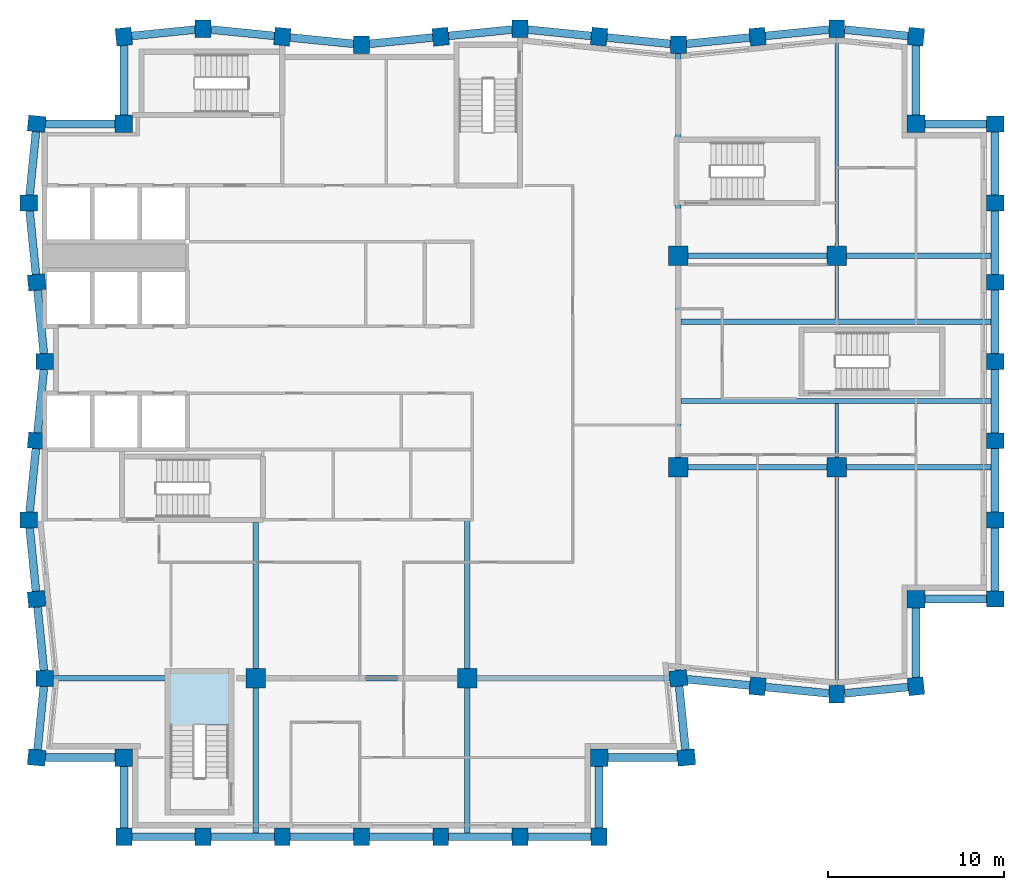
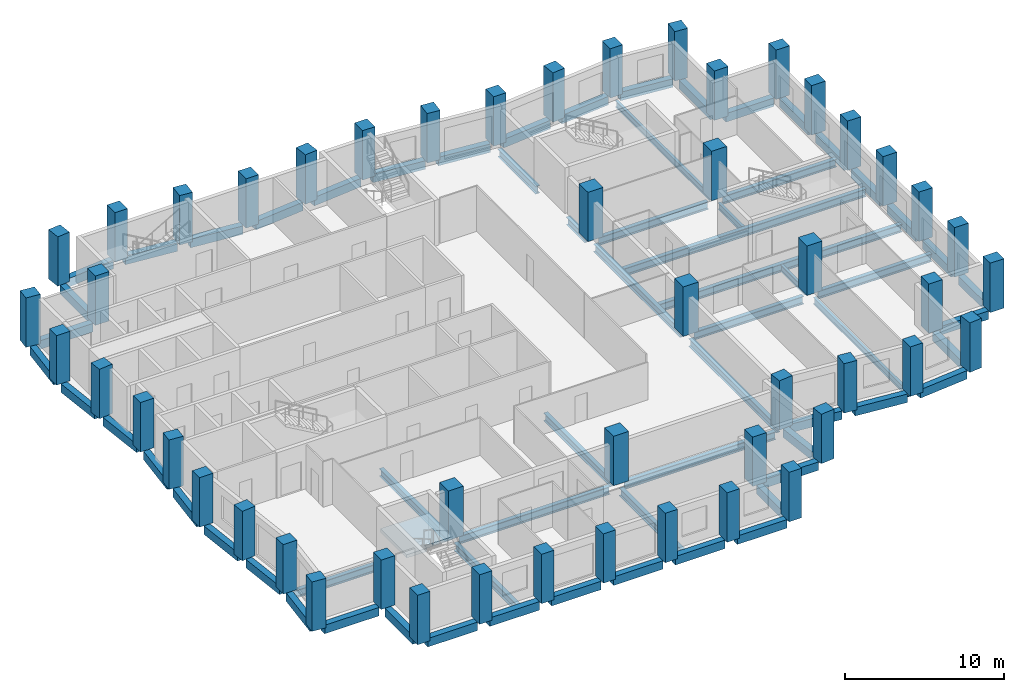
# One storey, part 1 of 8: 65 beams, 50 columns, 1 slab, 1 element without a shape of its own.
"""IFC4 building model written with IfcOpenShell, lengths in metres."""

from ifc_helpers import new_model, si_unit, direction, frame, origin, origin_2d, place, context, subcontext, project, spatial, polyline, rectangle, i_section, outline, extrude, material, layer, layer_set, material_profile, profile_set, type_object, element, aggregate, save


model = new_model("IFC4")

# Units and contexts
model_context = context("Model", 3, precision=1e-05, world=origin(), true_north=direction((0.0, 1.0)))
body_context = subcontext(model_context, "Body", "Model", "MODEL_VIEW")
ifc_project = project(units=[si_unit("LENGTHUNIT", "METRE"), si_unit("AREAUNIT", "SQUARE_METRE"), si_unit("VOLUMEUNIT", "CUBIC_METRE"), si_unit("PLANEANGLEUNIT", "RADIAN"), si_unit("MASSUNIT", "GRAM", prefix="KILO")], contexts=[model_context])

# Site, building, storey
site_placement = place(None, origin())
site = spatial("IfcSite", under=ifc_project, at=site_placement, CompositionType="ELEMENT")
building_placement = place(site_placement, origin())
building = spatial("IfcBuilding", under=site, at=building_placement, Name="Brondeck Convention Tower", CompositionType="ELEMENT")
storey_placement = place(building_placement, frame((0.0, 0.0, 214.0)))
storey = spatial("IfcBuildingStorey", under=building, at=storey_placement, Name="L52", CompositionType="ELEMENT", Elevation=214.0)

# Columns
ifc_material_1 = material(Name="Concrete C50/60", Category="concrete")
ifc_material_profile_1 = material_profile(ifc_material_1, rectangle(XDim=1.0, YDim=1.0, at=origin_2d()), Name="Corner column 1000x1000 Concrete C50/60")
ifc_profile_set_1 = profile_set([ifc_material_profile_1], Name="Concrete C50/60")
column_type_1 = type_object("IfcColumnType", Name="Corner column 1000x1000 Concrete C50/60", PredefinedType="COLUMN", material=ifc_profile_set_1)
for number, where, z_axis, x_axis, name in (
    (1, (4.5, 22.5, 0.0), (0.0, 0.0, 1.0), (1.0, 0.0, 0.0), "STR-COL-L52-NC-SWB18"),
    (2, (31.5, 22.5, 0.0), (0.0, 0.0, 1.0), (1.0, 0.0, 0.0), "STR-COL-L52-NC-SEB18"),
    (3, (49.5, 31.5, 0.0), (0.0, 0.0, 1.0), (1.0, 0.0, 0.0), "STR-COL-L52-NC-SEA54"),
    (4, (49.5, 58.5, 0.0), (0.0, 0.0, 1.0), (1.0, 0.0, 0.0), "STR-COL-L52-NC-NEA54"),
    (5, (4.5, 58.5, 0.0), (0.0, 0.0, 1.0), (1.0, 0.0, 0.0), "STR-COL-L52-NC-NW"),
):
    element("IfcColumn", number, at=place(storey_placement, frame(where, z_axis=z_axis, x_axis=x_axis)), inside=storey, type_object=column_type_1, Name=name, PredefinedType="COLUMN", context=body_context, shape_type="SweptSolid", body=[
        extrude(rectangle(XDim=1.0, YDim=1.0, at=origin_2d()), origin(), (0.0, 0.0, 1.0), 3.800048828125),
    ])
ifc_material_profile_2 = material_profile(ifc_material_1, rectangle(XDim=1.10009765625, YDim=1.10009765625, at=origin_2d()), Name="Interior column 1100x1100 Concrete C50/60")
ifc_profile_set_2 = profile_set([ifc_material_profile_2], Name="Concrete C50/60")
column_type_2 = type_object("IfcColumnType", Name="Interior column 1100x1100 Concrete C50/60", PredefinedType="COLUMN", material=ifc_profile_set_2)
for number, where, z_axis, x_axis, name in (
    (6, (12.0, 27.0, 0.0), (0.0, 0.0, 1.0), (1.0, 0.0, 0.0), "STR-COL-L52-IC-03"),
    (7, (24.0, 27.0, 0.0), (0.0, 0.0, 1.0), (1.0, 0.0, 0.0), "STR-COL-L52-IC-06"),
    (8, (36.0, 39.0, 0.0), (0.0, 0.0, 1.0), (1.0, 0.0, 0.0), "STR-COL-L52-IC-07"),
    (9, (36.0, 51.0, 0.0), (0.0, 0.0, 1.0), (1.0, 0.0, 0.0), "STR-COL-L52-IC-08"),
    (10, (45.0, 39.0, 0.0), (0.0, 0.0, 1.0), (1.0, 0.0, 0.0), "STR-COL-L52-IC-09"),
    (11, (45.0, 51.0, 0.0), (0.0, 0.0, 1.0), (1.0, 0.0, 0.0), "STR-COL-L52-IC-10"),
):
    element("IfcColumn", number, at=place(storey_placement, frame(where, z_axis=z_axis, x_axis=x_axis)), inside=storey, type_object=column_type_2, Name=name, PredefinedType="COLUMN", context=body_context, shape_type="SweptSolid", body=[
        extrude(rectangle(XDim=1.10009765625, YDim=1.10009765625, at=origin_2d()), origin(), (0.0, 0.0, 1.0), 3.800048828125),
    ])
ifc_material_profile_3 = material_profile(ifc_material_1, rectangle(XDim=0.89990234375, YDim=1.0, at=origin_2d()), Name="Perimeter pier 900x1000 Concrete C50/60")
ifc_profile_set_3 = profile_set([ifc_material_profile_3], Name="Concrete C50/60")
column_type_3 = type_object("IfcColumnType", Name="Perimeter pier 900x1000 Concrete C50/60", PredefinedType="COLUMN", material=ifc_profile_set_3)
for number, where, z_axis, x_axis, name in (
    (12, (4.5, 18.0, 0.0), (0.0, 0.0, 1.0), (1.0, 0.0, 0.0), "STR-COL-L52-PC-B-S18-01"),
    (13, (9.0, 18.0, 0.0), (0.0, 0.0, 1.0), (1.0, 0.0, 0.0), "STR-COL-L52-PC-B-S18-02"),
    (14, (13.5, 18.0, 0.0), (0.0, 0.0, 1.0), (1.0, 0.0, 0.0), "STR-COL-L52-PC-B-S18-03"),
    (15, (18.0, 18.0, 0.0), (0.0, 0.0, 1.0), (1.0, 0.0, 0.0), "STR-COL-L52-PC-B-S18-04"),
    (16, (22.5, 18.0, 0.0), (0.0, 0.0, 1.0), (1.0, 0.0, 0.0), "STR-COL-L52-PC-B-S18-05"),
    (17, (27.0, 18.0, 0.0), (0.0, 0.0, 1.0), (1.0, 0.0, 0.0), "STR-COL-L52-PC-B-S18-06"),
    (18, (31.5, 18.0, 0.0), (0.0, 0.0, 1.0), (1.0, 0.0, 0.0), "STR-COL-L52-PC-B-S18-07"),
    (19, (36.449951171875, 22.5, 0.0), (0.0, 0.0, 1.0), (-0.0995038382, 0.995037178292, 0.0), "STR-COL-L52-PC-B-E-01"),
    (20, (36.0, 27.0, 0.0), (0.0, 0.0, 1.0), (-0.0995038382, 0.995037178292, 0.0), "STR-COL-L52-PC-B-E-00"),
    (21, (40.5, 26.550048828125, 0.0), (0.0, 0.0, 1.0), (0.995037178292, -0.0995038382, 0.0), "STR-COL-L52-PC-A-S-01"),
    (22, (45.0, 26.10009765625, 0.0), (0.0, 0.0, 1.0), (1.0, 0.0, 0.0), "STR-COL-L52-PC-A-S-02"),
    (23, (49.5, 26.550048828125, 0.0), (0.0, 0.0, 1.0), (0.995037178292, 0.0995038382, 0.0), "STR-COL-L52-PC-A-S-03"),
    (24, (54.0, 31.5, 0.0), (0.0, 0.0, 1.0), (0.0, 1.0, 0.0), "STR-COL-L52-PC-A-E54-01"),
    (25, (54.0, 36.0, 0.0), (0.0, 0.0, 1.0), (0.0, 1.0, 0.0), "STR-COL-L52-PC-A-E54-02"),
    (26, (54.0, 40.5, 0.0), (0.0, 0.0, 1.0), (0.0, 1.0, 0.0), "STR-COL-L52-PC-A-E54-03"),
    (27, (54.0, 45.0, 0.0), (0.0, 0.0, 1.0), (0.0, 1.0, 0.0), "STR-COL-L52-PC-A-E54-04"),
    (28, (54.0, 49.5, 0.0), (0.0, 0.0, 1.0), (0.0, 1.0, 0.0), "STR-COL-L52-PC-A-E54-05"),
    (29, (54.0, 54.0, 0.0), (0.0, 0.0, 1.0), (0.0, 1.0, 0.0), "STR-COL-L52-PC-A-E54-06"),
    (30, (54.0, 58.5, 0.0), (0.0, 0.0, 1.0), (0.0, 1.0, 0.0), "STR-COL-L52-PC-A-E54-07"),
    (31, (49.5, 63.449951171875, 0.0), (0.0, 0.0, 1.0), (-0.995037178292, 0.0995038382, 0.0), "STR-COL-L52-PC-A-N-11"),
    (32, (45.0, 63.89990234375, 0.0), (0.0, 0.0, 1.0), (-1.0, 0.0, 0.0), "STR-COL-L52-PC-A-N-10"),
    (33, (40.5, 63.449951171875, 0.0), (0.0, 0.0, 1.0), (-0.995037178292, -0.0995038382, 0.0), "STR-COL-L52-PC-A-N-09"),
    (34, (36.0, 63.0, 0.0), (0.0, 0.0, 1.0), (-1.0, 0.0, 0.0), "STR-COL-L52-PC-A-N-08"),
    (35, (31.5, 63.449951171875, 0.0), (0.0, 0.0, 1.0), (-0.995037178292, 0.0995038382, 0.0), "STR-COL-L52-PC-A-N-07"),
    (36, (27.0, 63.89990234375, 0.0), (0.0, 0.0, 1.0), (-1.0, 0.0, 0.0), "STR-COL-L52-PC-A-N-06"),
    (37, (22.5, 63.449951171875, 0.0), (0.0, 0.0, 1.0), (-0.995037178292, -0.0995038382, 0.0), "STR-COL-L52-PC-A-N-05"),
    (38, (18.0, 63.0, 0.0), (0.0, 0.0, 1.0), (-1.0, 0.0, 0.0), "STR-COL-L52-PC-A-N-04"),
    (39, (13.5, 63.449951171875, 0.0), (0.0, 0.0, 1.0), (-0.995037178292, 0.0995038382, 0.0), "STR-COL-L52-PC-A-N-03"),
    (40, (9.0, 63.89990234375, 0.0), (0.0, 0.0, 1.0), (-1.0, 0.0, 0.0), "STR-COL-L52-PC-A-N-02"),
    (41, (4.5, 63.449951171875, 0.0), (0.0, 0.0, 1.0), (-0.995037178292, -0.0995038382, 0.0), "STR-COL-L52-PC-A-N-01"),
    (42, (-0.449951171875, 58.5, 0.0), (0.0, 0.0, 1.0), (-0.0995038382, -0.995037178292, 0.0), "STR-COL-L52-PC-B-W-01"),
    (43, (-0.89990234375, 54.0, 0.0), (0.0, 0.0, 1.0), (0.0, -1.0, 0.0), "STR-COL-L52-PC-B-W-02"),
    (44, (-0.449951171875, 49.5, 0.0), (0.0, 0.0, 1.0), (0.0995038382, -0.995037178292, 0.0), "STR-COL-L52-PC-B-W-03"),
    (45, (0.0, 45.0, 0.0), (0.0, 0.0, 1.0), (0.0, -1.0, 0.0), "STR-COL-L52-PC-B-W-04"),
    (46, (-0.449951171875, 40.5, 0.0), (0.0, 0.0, 1.0), (-0.0995038382, -0.995037178292, 0.0), "STR-COL-L52-PC-B-W-05"),
    (47, (-0.89990234375, 36.0, 0.0), (0.0, 0.0, 1.0), (0.0, -1.0, 0.0), "STR-COL-L52-PC-B-W-06"),
    (48, (-0.449951171875, 31.5, 0.0), (0.0, 0.0, 1.0), (0.0995038382, -0.995037178292, 0.0), "STR-COL-L52-PC-B-W-07"),
    (49, (0.0, 27.0, 0.0), (0.0, 0.0, 1.0), (0.0, -1.0, 0.0), "STR-COL-L52-PC-B-W-08"),
    (50, (-0.449951171875, 22.5, 0.0), (0.0, 0.0, 1.0), (-0.0995038382, -0.995037178292, 0.0), "STR-COL-L52-PC-B-W-09"),
):
    element("IfcColumn", number, at=place(storey_placement, frame(where, z_axis=z_axis, x_axis=x_axis)), inside=storey, type_object=column_type_3, Name=name, PredefinedType="COLUMN", context=body_context, shape_type="SweptSolid", body=[
        extrude(rectangle(XDim=0.89990234375, YDim=1.0, at=origin_2d()), origin(), (0.0, 0.0, 1.0), 3.800048828125),
    ])

# Beams
ifc_material_2 = material(Name="Steel S355", Category="steel")
ifc_material_profile_4 = material_profile(ifc_material_2, i_section(OverallWidth=0.199951171875, OverallDepth=0.5, WebThickness=0.01025390625, FlangeThickness=0.01611328125, FilletRadius=0.02099609375, at=origin_2d()), Name="IPE 500")
ifc_profile_set_4 = profile_set([ifc_material_profile_4], Name="Steel S355")
beam_type_1 = type_object("IfcBeamType", Name="Floor beam IPE 500", PredefinedType="BEAM", material=ifc_profile_set_4)
for number, where, z_axis, x_axis, name in (
    (51, (45.0, 26.60009765625, -0.550048828125), (0.0, 1.0, 0.0), (-1.0, 0.0, 0.0), "STR-FB-L52-001"),
    (52, (45.0, 51.550048828125, -0.550048828125), (0.0, 1.0, 0.0), (-1.0, 0.0, 0.0), "STR-FB-L52-002"),
):
    element("IfcBeam", number, at=place(storey_placement, frame(where, z_axis=z_axis, x_axis=x_axis)), inside=storey, type_object=beam_type_1, Name=name, PredefinedType="BEAM", context=body_context, shape_type="SweptSolid", body=[
        extrude(i_section(OverallWidth=0.199951171875, OverallDepth=0.5, WebThickness=0.01025390625, FlangeThickness=0.01611328125, FilletRadius=0.02099609375, at=origin_2d()), origin(), (0.0, 0.0, 1.0), 11.849853515625),
    ])
for number, where, z_axis, x_axis, name in (
    (53, (45.0, 39.550048828125, -0.550048828125), (0.0, 1.0, 0.0), (-1.0, 0.0, 0.0), "STR-FB-L52-003"),
    (54, (45.0, 47.39990234375, -0.550048828125), (0.0, 1.0, 0.0), (-1.0, 0.0, 0.0), "STR-FB-L52-004"),
):
    element("IfcBeam", number, at=place(storey_placement, frame(where, z_axis=z_axis, x_axis=x_axis)), inside=storey, type_object=beam_type_1, Name=name, PredefinedType="BEAM", context=body_context, shape_type="SweptSolid", body=[
        extrude(i_section(OverallWidth=0.199951171875, OverallDepth=0.5, WebThickness=0.01025390625, FlangeThickness=0.01611328125, FilletRadius=0.02099609375, at=origin_2d()), origin(), (0.0, 0.0, 1.0), 3.050048828125),
    ])
ifc_material_profile_5 = material_profile(ifc_material_2, i_section(OverallWidth=0.300048828125, OverallDepth=0.60009765625, WebThickness=0.015380859375, FlangeThickness=0.030029296875, FilletRadius=0.027099609375, at=origin_2d()), Name="HEB 600")
ifc_profile_set_5 = profile_set([ifc_material_profile_5], Name="Steel S355")
beam_type_2 = type_object("IfcBeamType", Name="Girder HEB 600", PredefinedType="BEAM", material=ifc_profile_set_5)
beam_1_placement = place(storey_placement, frame((36.550048828125, 39.0, -0.60009765625), z_axis=(1.0, 0.0, 0.0), x_axis=(0.0, 1.0, 0.0)))
element("IfcBeam", 55, at=beam_1_placement, inside=storey, type_object=beam_type_2, Name="STR-GR-L52-001", PredefinedType="BEAM", context=body_context, shape_type="SweptSolid", body=[
    extrude(i_section(OverallWidth=0.300048828125, OverallDepth=0.60009765625, WebThickness=0.015380859375, FlangeThickness=0.030029296875, FilletRadius=0.027099609375, at=origin_2d()), origin(), (0.0, 0.0, 1.0), 7.89990234375),
])
beam_2_placement = place(storey_placement, frame((45.550048828125, 39.0, -0.60009765625), z_axis=(1.0, 0.0, 0.0), x_axis=(0.0, 1.0, 0.0)))
element("IfcBeam", 56, at=beam_2_placement, inside=storey, type_object=beam_type_2, Name="STR-GR-L52-002", PredefinedType="BEAM", context=body_context, shape_type="SweptSolid", body=[
    extrude(i_section(OverallWidth=0.300048828125, OverallDepth=0.60009765625, WebThickness=0.015380859375, FlangeThickness=0.030029296875, FilletRadius=0.027099609375, at=origin_2d()), origin(), (0.0, 0.0, 1.0), 8.224853515625),
])
beam_3_placement = place(storey_placement, frame((36.550048828125, 51.0, -0.60009765625), z_axis=(1.0, 0.0, 0.0), x_axis=(0.0, 1.0, 0.0)))
element("IfcBeam", 57, at=beam_3_placement, inside=storey, type_object=beam_type_2, Name="STR-GR-L52-003", PredefinedType="BEAM", context=body_context, shape_type="SweptSolid", body=[
    extrude(i_section(OverallWidth=0.300048828125, OverallDepth=0.60009765625, WebThickness=0.015380859375, FlangeThickness=0.030029296875, FilletRadius=0.027099609375, at=origin_2d()), origin(), (0.0, 0.0, 1.0), 7.89990234375),
])
beam_4_placement = place(storey_placement, frame((45.550048828125, 51.0, -0.60009765625), z_axis=(1.0, 0.0, 0.0), x_axis=(0.0, 1.0, 0.0)))
element("IfcBeam", 58, at=beam_4_placement, inside=storey, type_object=beam_type_2, Name="STR-GR-L52-004", PredefinedType="BEAM", context=body_context, shape_type="SweptSolid", body=[
    extrude(i_section(OverallWidth=0.300048828125, OverallDepth=0.60009765625, WebThickness=0.015380859375, FlangeThickness=0.030029296875, FilletRadius=0.027099609375, at=origin_2d()), origin(), (0.0, 0.0, 1.0), 8.224853515625),
])
beam_5_placement = place(storey_placement, frame((36.0, 27.4521484375, -0.60009765625), z_axis=(0.0, 1.0, 0.0), x_axis=(-1.0, 0.0, 0.0)))
element("IfcBeam", 59, at=beam_5_placement, inside=storey, type_object=beam_type_2, Name="STR-GR-L52-005", PredefinedType="BEAM", context=body_context, shape_type="SweptSolid", body=[
    extrude(i_section(OverallWidth=0.300048828125, OverallDepth=0.60009765625, WebThickness=0.015380859375, FlangeThickness=0.030029296875, FilletRadius=0.027099609375, at=origin_2d()), origin(), (0.0, 0.0, 1.0), 10.997802734375),
])
beam_6_placement = place(storey_placement, frame((36.0, 39.550048828125, -0.60009765625), z_axis=(0.0, 1.0, 0.0), x_axis=(-1.0, 0.0, 0.0)))
element("IfcBeam", 60, at=beam_6_placement, inside=storey, type_object=beam_type_2, Name="STR-GR-L52-006", PredefinedType="BEAM", context=body_context, shape_type="SweptSolid", body=[
    extrude(i_section(OverallWidth=0.300048828125, OverallDepth=0.60009765625, WebThickness=0.015380859375, FlangeThickness=0.030029296875, FilletRadius=0.027099609375, at=origin_2d()), origin(), (0.0, 0.0, 1.0), 10.89990234375),
])
beam_7_placement = place(storey_placement, frame((36.0, 51.550048828125, -0.60009765625), z_axis=(0.0, 1.0, 0.0), x_axis=(-1.0, 0.0, 0.0)))
element("IfcBeam", 61, at=beam_7_placement, inside=storey, type_object=beam_type_2, Name="STR-GR-L52-007", PredefinedType="BEAM", context=body_context, shape_type="SweptSolid", body=[
    extrude(i_section(OverallWidth=0.300048828125, OverallDepth=0.60009765625, WebThickness=0.015380859375, FlangeThickness=0.030029296875, FilletRadius=0.027099609375, at=origin_2d()), origin(), (0.0, 0.0, 1.0), 2.329833984375),
])
beam_8_placement = place(storey_placement, frame((36.0, 57.719970703125, -0.60009765625), z_axis=(0.0, 1.0, 0.0), x_axis=(-1.0, 0.0, 0.0)))
element("IfcBeam", 62, at=beam_8_placement, inside=storey, type_object=beam_type_2, Name="STR-GR-L52-008", PredefinedType="BEAM", context=body_context, shape_type="SweptSolid", body=[
    extrude(i_section(OverallWidth=0.300048828125, OverallDepth=0.60009765625, WebThickness=0.015380859375, FlangeThickness=0.030029296875, FilletRadius=0.027099609375, at=origin_2d()), origin(), (0.0, 0.0, 1.0), 4.780029296875),
])
beam_9_placement = place(storey_placement, frame((12.0, 35.85009765625, -0.60009765625), z_axis=(0.0, -1.0, 0.0), x_axis=(1.0, 0.0, 0.0)))
element("IfcBeam", 63, at=beam_9_placement, inside=storey, type_object=beam_type_2, Name="STR-GR-L52-009", PredefinedType="BEAM", context=body_context, shape_type="SweptSolid", body=[
    extrude(i_section(OverallWidth=0.300048828125, OverallDepth=0.60009765625, WebThickness=0.015380859375, FlangeThickness=0.030029296875, FilletRadius=0.027099609375, at=origin_2d()), origin(), (0.0, 0.0, 1.0), 8.300048828125),
])
beam_10_placement = place(storey_placement, frame((12.0, 26.449951171875, -0.60009765625), z_axis=(0.0, -1.0, 0.0), x_axis=(1.0, 0.0, 0.0)))
element("IfcBeam", 64, at=beam_10_placement, inside=storey, type_object=beam_type_2, Name="STR-GR-L52-010", PredefinedType="BEAM", context=body_context, shape_type="SweptSolid", body=[
    extrude(i_section(OverallWidth=0.300048828125, OverallDepth=0.60009765625, WebThickness=0.015380859375, FlangeThickness=0.030029296875, FilletRadius=0.027099609375, at=origin_2d()), origin(), (0.0, 0.0, 1.0), 8.224853515625),
])
beam_11_placement = place(storey_placement, frame((24.0, 35.955078125, -0.60009765625), z_axis=(0.0, -1.0, 0.0), x_axis=(1.0, 0.0, 0.0)))
element("IfcBeam", 65, at=beam_11_placement, inside=storey, type_object=beam_type_2, Name="STR-GR-L52-011", PredefinedType="BEAM", context=body_context, shape_type="SweptSolid", body=[
    extrude(i_section(OverallWidth=0.300048828125, OverallDepth=0.60009765625, WebThickness=0.015380859375, FlangeThickness=0.030029296875, FilletRadius=0.027099609375, at=origin_2d()), origin(), (0.0, 0.0, 1.0), 8.405029296875),
])
beam_12_placement = place(storey_placement, frame((24.0, 26.449951171875, -0.60009765625), z_axis=(0.0, -1.0, 0.0), x_axis=(1.0, 0.0, 0.0)))
element("IfcBeam", 66, at=beam_12_placement, inside=storey, type_object=beam_type_2, Name="STR-GR-L52-012", PredefinedType="BEAM", context=body_context, shape_type="SweptSolid", body=[
    extrude(i_section(OverallWidth=0.300048828125, OverallDepth=0.60009765625, WebThickness=0.015380859375, FlangeThickness=0.030029296875, FilletRadius=0.027099609375, at=origin_2d()), origin(), (0.0, 0.0, 1.0), 8.224853515625),
])
beam_13_placement = place(storey_placement, frame((0.5, 27.0, -0.60009765625), z_axis=(1.0, 0.0, 0.0), x_axis=(0.0, 1.0, 0.0)))
element("IfcBeam", 67, at=beam_13_placement, inside=storey, type_object=beam_type_2, Name="STR-GR-L52-013", PredefinedType="BEAM", context=body_context, shape_type="SweptSolid", body=[
    extrude(i_section(OverallWidth=0.300048828125, OverallDepth=0.60009765625, WebThickness=0.015380859375, FlangeThickness=0.030029296875, FilletRadius=0.027099609375, at=origin_2d()), origin(), (0.0, 0.0, 1.0), 6.3798828125),
])
beam_14_placement = place(storey_placement, frame((12.550048828125, 27.0, -0.60009765625), z_axis=(1.0, 0.0, 0.0), x_axis=(0.0, 1.0, 0.0)))
element("IfcBeam", 68, at=beam_14_placement, inside=storey, type_object=beam_type_2, Name="STR-GR-L52-014", PredefinedType="BEAM", context=body_context, shape_type="SweptSolid", body=[
    extrude(i_section(OverallWidth=0.300048828125, OverallDepth=0.60009765625, WebThickness=0.015380859375, FlangeThickness=0.030029296875, FilletRadius=0.027099609375, at=origin_2d()), origin(), (0.0, 0.0, 1.0), 10.89990234375),
])
beam_15_placement = place(storey_placement, frame((24.550048828125, 27.0, -0.60009765625), z_axis=(1.0, 0.0, 0.0), x_axis=(0.0, 1.0, 0.0)))
element("IfcBeam", 69, at=beam_15_placement, inside=storey, type_object=beam_type_2, Name="STR-GR-L52-015", PredefinedType="BEAM", context=body_context, shape_type="SweptSolid", body=[
    extrude(i_section(OverallWidth=0.300048828125, OverallDepth=0.60009765625, WebThickness=0.015380859375, FlangeThickness=0.030029296875, FilletRadius=0.027099609375, at=origin_2d()), origin(), (0.0, 0.0, 1.0), 10.947509765625),
])
for number, where, z_axis, x_axis, name in (
    (70, (36.14990234375, 42.75, -0.60009765625), (1.0, 0.0, 0.0), (0.0, 1.0, 0.0), "STR-GR-L52-016"),
    (71, (36.14990234375, 47.25, -0.60009765625), (1.0, 0.0, 0.0), (0.0, 1.0, 0.0), "STR-GR-L52-017"),
):
    element("IfcBeam", number, at=place(storey_placement, frame(where, z_axis=z_axis, x_axis=x_axis)), inside=storey, type_object=beam_type_2, Name=name, PredefinedType="BEAM", context=body_context, shape_type="SweptSolid", body=[
        extrude(i_section(OverallWidth=0.300048828125, OverallDepth=0.60009765625, WebThickness=0.015380859375, FlangeThickness=0.030029296875, FilletRadius=0.027099609375, at=origin_2d()), origin(), (0.0, 0.0, 1.0), 17.625),
    ])
ifc_material_profile_6 = material_profile(ifc_material_1, rectangle(XDim=0.449951171875, YDim=0.64990234375, at=origin_2d()), Name="Precast spandrel 450x650 Concrete C50/60")
ifc_profile_set_6 = profile_set([ifc_material_profile_6], Name="Concrete C50/60")
beam_type_3 = type_object("IfcBeamType", Name="Precast spandrel 450x650 Concrete C50/60", PredefinedType="SPANDREL", material=ifc_profile_set_6)
for number, where, z_axis, x_axis, name in (
    (72, (4.949951171875, 18.0, -0.324951171875), (1.0, 0.0, 0.0), (0.0, 1.0, 0.0), "STR-SP-L52-001"),
    (73, (9.449951171875, 18.0, -0.324951171875), (1.0, 0.0, 0.0), (0.0, 1.0, 0.0), "STR-SP-L52-002"),
    (74, (13.949951171875, 18.0, -0.324951171875), (1.0, 0.0, 0.0), (0.0, 1.0, 0.0), "STR-SP-L52-003"),
    (75, (18.449951171875, 18.0, -0.324951171875), (1.0, 0.0, 0.0), (0.0, 1.0, 0.0), "STR-SP-L52-004"),
    (76, (22.949951171875, 18.0, -0.324951171875), (1.0, 0.0, 0.0), (0.0, 1.0, 0.0), "STR-SP-L52-005"),
    (77, (27.449951171875, 18.0, -0.324951171875), (1.0, 0.0, 0.0), (0.0, 1.0, 0.0), "STR-SP-L52-006"),
):
    element("IfcBeam", number, at=place(storey_placement, frame(where, z_axis=z_axis, x_axis=x_axis)), inside=storey, type_object=beam_type_3, Name=name, PredefinedType="SPANDREL", context=body_context, shape_type="SweptSolid", body=[
        extrude(rectangle(XDim=0.449951171875, YDim=0.64990234375, at=origin_2d()), origin(), (0.0, 0.0, 1.0), 3.60009765625),
    ])
beam_16_placement = place(storey_placement, frame((31.5, 18.5, -0.324951171875), z_axis=(0.0, 1.0, 0.0), x_axis=(-1.0, 0.0, 0.0)))
element("IfcBeam", 78, at=beam_16_placement, inside=storey, type_object=beam_type_3, Name="STR-SP-L52-007", PredefinedType="SPANDREL", context=body_context, shape_type="SweptSolid", body=[
    extrude(rectangle(XDim=0.449951171875, YDim=0.64990234375, at=origin_2d()), origin(), (0.0, 0.0, 1.0), 3.5),
])
beam_17_placement = place(storey_placement, frame((32.0, 22.5, -0.324951171875), z_axis=(1.0, 0.0, 0.0), x_axis=(0.0, 1.0, 0.0)))
element("IfcBeam", 79, at=beam_17_placement, inside=storey, type_object=beam_type_3, Name="STR-SP-L52-008", PredefinedType="SPANDREL", context=body_context, shape_type="SweptSolid", body=[
    extrude(rectangle(XDim=0.449951171875, YDim=0.64990234375, at=origin_2d()), origin(), (0.0, 0.0, 1.0), 3.947509765625),
])
beam_18_placement = place(storey_placement, frame((36.4052734375, 22.94775390625, -0.324951171875), z_axis=(-0.099543756114, 0.995033185687, 0.0), x_axis=(-0.995033185687, -0.099543756114, 0.0)))
element("IfcBeam", 80, at=beam_18_placement, inside=storey, type_object=beam_type_3, Name="STR-SP-L52-009", PredefinedType="SPANDREL", context=body_context, shape_type="SweptSolid", body=[
    extrude(rectangle(XDim=0.449951171875, YDim=0.64990234375, at=origin_2d()), origin(), (0.0, 0.0, 1.0), 3.62255859375),
])
beam_19_placement = place(storey_placement, frame((36.507568359375, 26.94921875, -0.324951171875), z_axis=(0.995036511638, -0.099510504504, 0.0), x_axis=(0.099510504504, 0.995036511638, 0.0)))
element("IfcBeam", 81, at=beam_19_placement, inside=storey, type_object=beam_type_3, Name="STR-SP-L52-010", PredefinedType="SPANDREL", context=body_context, shape_type="SweptSolid", body=[
    extrude(rectangle(XDim=0.449951171875, YDim=0.64990234375, at=origin_2d()), origin(), (0.0, 0.0, 1.0), 3.562255859375),
])
for number, where, z_axis, x_axis, name in (
    (82, (40.94775390625, 26.505126953125, -0.324951171875), (0.995040528141, -0.099470334057, 0.0), (0.099470334057, 0.995040528141, 0.0), "STR-SP-L52-011"),
    (83, (45.449951171875, 26.14501953125, -0.324951171875), (0.995040528141, 0.099470334057, 0.0), (-0.099470334057, 0.995040528141, 0.0), "STR-SP-L52-012"),
):
    element("IfcBeam", number, at=place(storey_placement, frame(where, z_axis=z_axis, x_axis=x_axis)), inside=storey, type_object=beam_type_3, Name=name, PredefinedType="SPANDREL", context=body_context, shape_type="SweptSolid", body=[
        extrude(rectangle(XDim=0.449951171875, YDim=0.64990234375, at=origin_2d()), origin(), (0.0, 0.0, 1.0), 3.620361328125),
    ])
beam_20_placement = place(storey_placement, frame((49.5, 27.052490234375, -0.324951171875), z_axis=(0.0, 1.0, 0.0), x_axis=(-1.0, 0.0, 0.0)))
element("IfcBeam", 84, at=beam_20_placement, inside=storey, type_object=beam_type_3, Name="STR-SP-L52-013", PredefinedType="SPANDREL", context=body_context, shape_type="SweptSolid", body=[
    extrude(rectangle(XDim=0.449951171875, YDim=0.64990234375, at=origin_2d()), origin(), (0.0, 0.0, 1.0), 3.947509765625),
])
beam_21_placement = place(storey_placement, frame((50.0, 31.5, -0.324951171875), z_axis=(1.0, 0.0, 0.0), x_axis=(0.0, 1.0, 0.0)))
element("IfcBeam", 85, at=beam_21_placement, inside=storey, type_object=beam_type_3, Name="STR-SP-L52-014", PredefinedType="SPANDREL", context=body_context, shape_type="SweptSolid", body=[
    extrude(rectangle(XDim=0.449951171875, YDim=0.64990234375, at=origin_2d()), origin(), (0.0, 0.0, 1.0), 3.5),
])
for number, where, z_axis, x_axis, name in (
    (86, (54.0, 31.949951171875, -0.324951171875), (0.0, 1.0, 0.0), (-1.0, 0.0, 0.0), "STR-SP-L52-015"),
    (87, (54.0, 36.449951171875, -0.324951171875), (0.0, 1.0, 0.0), (-1.0, 0.0, 0.0), "STR-SP-L52-016"),
    (88, (54.0, 40.949951171875, -0.324951171875), (0.0, 1.0, 0.0), (-1.0, 0.0, 0.0), "STR-SP-L52-017"),
    (89, (54.0, 45.449951171875, -0.324951171875), (0.0, 1.0, 0.0), (-1.0, 0.0, 0.0), "STR-SP-L52-018"),
    (90, (54.0, 49.949951171875, -0.324951171875), (0.0, 1.0, 0.0), (-1.0, 0.0, 0.0), "STR-SP-L52-019"),
    (91, (54.0, 54.449951171875, -0.324951171875), (0.0, 1.0, 0.0), (-1.0, 0.0, 0.0), "STR-SP-L52-020"),
):
    element("IfcBeam", number, at=place(storey_placement, frame(where, z_axis=z_axis, x_axis=x_axis)), inside=storey, type_object=beam_type_3, Name=name, PredefinedType="SPANDREL", context=body_context, shape_type="SweptSolid", body=[
        extrude(rectangle(XDim=0.449951171875, YDim=0.64990234375, at=origin_2d()), origin(), (0.0, 0.0, 1.0), 3.60009765625),
    ])
beam_22_placement = place(storey_placement, frame((53.5, 58.5, -0.324951171875), z_axis=(-1.0, 0.0, 0.0), x_axis=(0.0, -1.0, 0.0)))
element("IfcBeam", 92, at=beam_22_placement, inside=storey, type_object=beam_type_3, Name="STR-SP-L52-021", PredefinedType="SPANDREL", context=body_context, shape_type="SweptSolid", body=[
    extrude(rectangle(XDim=0.449951171875, YDim=0.64990234375, at=origin_2d()), origin(), (0.0, 0.0, 1.0), 3.5),
])
beam_23_placement = place(storey_placement, frame((49.5, 59.0, -0.324951171875), z_axis=(0.0, 1.0, 0.0), x_axis=(-1.0, 0.0, 0.0)))
element("IfcBeam", 93, at=beam_23_placement, inside=storey, type_object=beam_type_3, Name="STR-SP-L52-022", PredefinedType="SPANDREL", context=body_context, shape_type="SweptSolid", body=[
    extrude(rectangle(XDim=0.449951171875, YDim=0.64990234375, at=origin_2d()), origin(), (0.0, 0.0, 1.0), 3.947509765625),
])
for number, where, z_axis, x_axis, name in (
    (94, (49.05224609375, 63.494873046875, -0.324951171875), (-0.995040528141, 0.099470334057, 0.0), (-0.099470334057, -0.995040528141, 0.0), "STR-SP-L52-023"),
    (95, (44.550048828125, 63.85498046875, -0.324951171875), (-0.995040528141, -0.099470334057, 0.0), (0.099470334057, -0.995040528141, 0.0), "STR-SP-L52-024"),
    (96, (40.05224609375, 63.4052734375, -0.324951171875), (-0.995033851182, -0.099537103649, 0.0), (0.099537103649, -0.995033851182, 0.0), "STR-SP-L52-025"),
    (97, (35.550048828125, 63.044921875, -0.324951171875), (-0.995033851182, 0.099537103649, 0.0), (-0.099537103649, -0.995033851182, 0.0), "STR-SP-L52-026"),
    (98, (31.05224609375, 63.494873046875, -0.324951171875), (-0.995040528141, 0.099470334057, 0.0), (-0.099470334057, -0.995040528141, 0.0), "STR-SP-L52-027"),
    (99, (26.550048828125, 63.85498046875, -0.324951171875), (-0.995040528141, -0.099470334057, 0.0), (0.099470334057, -0.995040528141, 0.0), "STR-SP-L52-028"),
    (100, (22.05224609375, 63.4052734375, -0.324951171875), (-0.995033851182, -0.099537103649, 0.0), (0.099537103649, -0.995033851182, 0.0), "STR-SP-L52-029"),
    (101, (17.550048828125, 63.044921875, -0.324951171875), (-0.995033851182, 0.099537103649, 0.0), (-0.099537103649, -0.995033851182, 0.0), "STR-SP-L52-030"),
    (102, (13.05224609375, 63.494873046875, -0.324951171875), (-0.995040528141, 0.099470334057, 0.0), (-0.099470334057, -0.995040528141, 0.0), "STR-SP-L52-031"),
    (103, (8.550048828125, 63.85498046875, -0.324951171875), (-0.995040528141, -0.099470334057, 0.0), (0.099470334057, -0.995040528141, 0.0), "STR-SP-L52-032"),
):
    element("IfcBeam", number, at=place(storey_placement, frame(where, z_axis=z_axis, x_axis=x_axis)), inside=storey, type_object=beam_type_3, Name=name, PredefinedType="SPANDREL", context=body_context, shape_type="SweptSolid", body=[
        extrude(rectangle(XDim=0.449951171875, YDim=0.64990234375, at=origin_2d()), origin(), (0.0, 0.0, 1.0), 3.620361328125),
    ])
for number, where, z_axis, x_axis, name in (
    (104, (4.5, 62.947509765625, -0.324951171875), (0.0, -1.0, 0.0), (1.0, 0.0, 0.0), "STR-SP-L52-033"),
    (105, (4.0, 58.5, -0.324951171875), (-1.0, 0.0, 0.0), (0.0, -1.0, 0.0), "STR-SP-L52-034"),
):
    element("IfcBeam", number, at=place(storey_placement, frame(where, z_axis=z_axis, x_axis=x_axis)), inside=storey, type_object=beam_type_3, Name=name, PredefinedType="SPANDREL", context=body_context, shape_type="SweptSolid", body=[
        extrude(rectangle(XDim=0.449951171875, YDim=0.64990234375, at=origin_2d()), origin(), (0.0, 0.0, 1.0), 3.947509765625),
    ])
for number, where, z_axis, x_axis, name in (
    (106, (-0.494873046875, 58.05224609375, -0.324951171875), (-0.099470334057, -0.995040528141, 0.0), (0.995040528141, -0.099470334057, 0.0), "STR-SP-L52-035"),
    (107, (-0.85498046875, 53.550048828125, -0.324951171875), (0.099470334057, -0.995040528141, 0.0), (0.995040528141, 0.099470334057, 0.0), "STR-SP-L52-036"),
    (108, (-0.4052734375, 49.05224609375, -0.324951171875), (0.099537103649, -0.995033851182, 0.0), (0.995033851182, 0.099537103649, 0.0), "STR-SP-L52-037"),
    (109, (-0.044921875, 44.550048828125, -0.324951171875), (-0.099537103649, -0.995033851182, 0.0), (0.995033851182, -0.099537103649, 0.0), "STR-SP-L52-038"),
    (110, (-0.494873046875, 40.05224609375, -0.324951171875), (-0.099470334057, -0.995040528141, 0.0), (0.995040528141, -0.099470334057, 0.0), "STR-SP-L52-039"),
    (111, (-0.85498046875, 35.550048828125, -0.324951171875), (0.099470334057, -0.995040528141, 0.0), (0.995040528141, 0.099470334057, 0.0), "STR-SP-L52-040"),
    (112, (-0.4052734375, 31.05224609375, -0.324951171875), (0.099537103649, -0.995033851182, 0.0), (0.995033851182, 0.099537103649, 0.0), "STR-SP-L52-041"),
    (113, (-0.044921875, 26.550048828125, -0.324951171875), (-0.099537103649, -0.995033851182, 0.0), (0.995033851182, -0.099537103649, 0.0), "STR-SP-L52-042"),
):
    element("IfcBeam", number, at=place(storey_placement, frame(where, z_axis=z_axis, x_axis=x_axis)), inside=storey, type_object=beam_type_3, Name=name, PredefinedType="SPANDREL", context=body_context, shape_type="SweptSolid", body=[
        extrude(rectangle(XDim=0.449951171875, YDim=0.64990234375, at=origin_2d()), origin(), (0.0, 0.0, 1.0), 3.620361328125),
    ])
beam_24_placement = place(storey_placement, frame((0.052490234375, 22.5, -0.324951171875), z_axis=(1.0, 0.0, 0.0), x_axis=(0.0, 1.0, 0.0)))
element("IfcBeam", 114, at=beam_24_placement, inside=storey, type_object=beam_type_3, Name="STR-SP-L52-043", PredefinedType="SPANDREL", context=body_context, shape_type="SweptSolid", body=[
    extrude(rectangle(XDim=0.449951171875, YDim=0.64990234375, at=origin_2d()), origin(), (0.0, 0.0, 1.0), 3.947509765625),
])
beam_25_placement = place(storey_placement, frame((4.5, 22.0, -0.324951171875), z_axis=(0.0, -1.0, 0.0), x_axis=(1.0, 0.0, 0.0)))
element("IfcBeam", 115, at=beam_25_placement, inside=storey, type_object=beam_type_3, Name="STR-SP-L52-044", PredefinedType="SPANDREL", context=body_context, shape_type="SweptSolid", body=[
    extrude(rectangle(XDim=0.449951171875, YDim=0.64990234375, at=origin_2d()), origin(), (0.0, 0.0, 1.0), 3.5),
])

# Stair, slab
ifc_material_3 = material(Name="Precast concrete C50/60", Category="concrete")
stair_type = type_object("IfcStairType", Name="Core stair 22 risers 172.73 mm riser 300 mm going 1350 wide", PredefinedType="HALF_TURN_STAIR", material=ifc_material_3)
stair_placement = place(storey_placement, origin())
stair = element("IfcStair", 116, at=stair_placement, inside=storey, type_object=stair_type, Name="ST-BE L52 stair", PredefinedType="HALF_TURN_STAIR")
ifc_layer = layer(ifc_material_3, 0.25)
ifc_layer_set = layer_set([ifc_layer], Name="Core stair landing 250 Precast concrete C50/60")
slab_type = type_object("IfcSlabType", Name="Core stair landing 250 Precast concrete C50/60", PredefinedType="LANDING", material=ifc_layer_set)
slab_placement = place(storey_placement, frame((0.0, 0.0, 1.64990234375)))
slab = element("IfcSlab", 117, at=slab_placement, type_object=slab_type, Name="ST-BE landing 1", PredefinedType="LANDING", context=body_context, shape_type="SweptSolid", body=[
    extrude(outline(polyline([(7.030029296875, 24.050048828125), (7.030029296875, 27.3701171875), (10.570068359375, 27.3701171875), (10.570068359375, 24.347900390625), (9.10009765625, 24.347900390625), (9.10009765625, 24.35009765625), (8.5, 24.35009765625), (8.5, 24.050048828125), (7.030029296875, 24.050048828125)])), origin(), (0.0, 0.0, 1.0), 0.25),
])
aggregate(stair, [slab])

save(model, "model.ifc")
